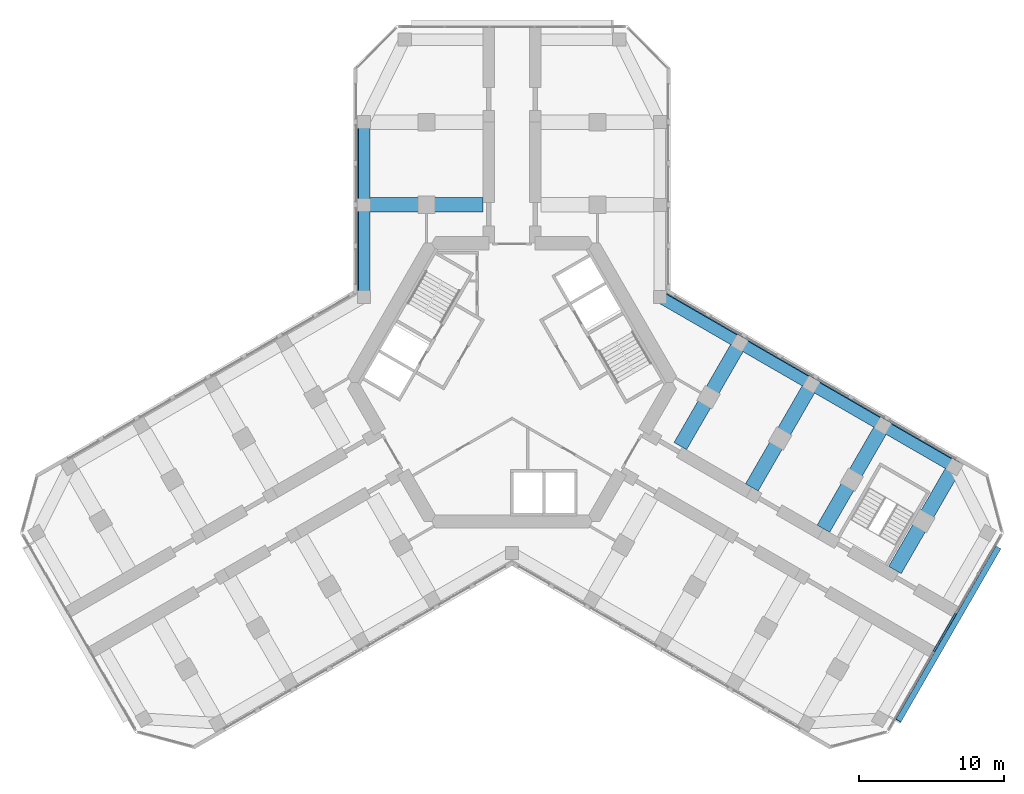
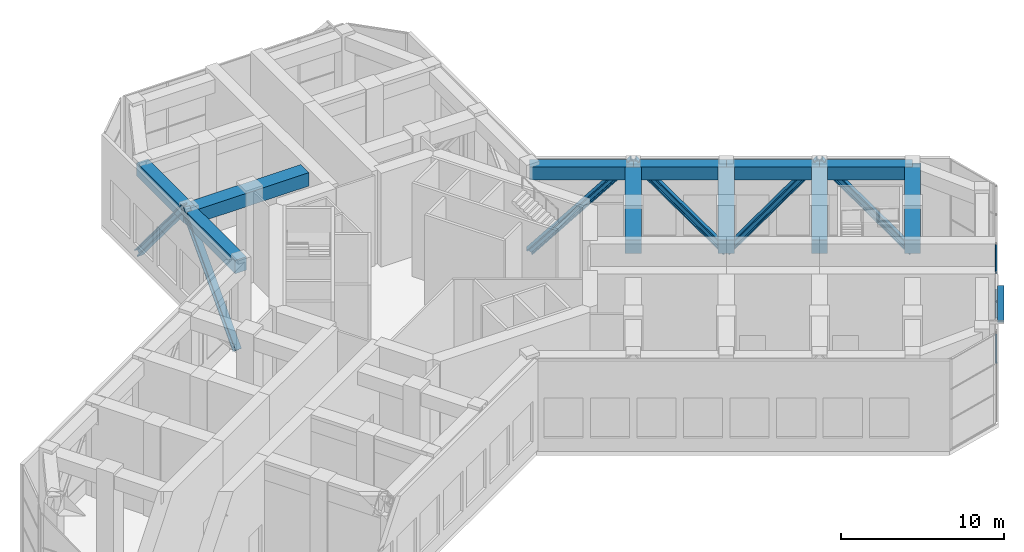
# One storey, part 6 of 15: 11 beams, 10 members, 1 element without a shape of its own.
"""IFC4 building model written with IfcOpenShell, lengths in metres."""

from ifc_helpers import new_model, si_unit, direction, frame, origin, origin_2d, place, context, subcontext, project, spatial, rectangle, i_section, extrude, material, material_profile, profile_set, type_object, element, aggregate, save


model = new_model("IFC4")

# Units and contexts
model_context = context("Model", 3, precision=1e-05, world=origin(), true_north=direction((0.0, 1.0)))
body_context = subcontext(model_context, "Body", "Model", "MODEL_VIEW")
ifc_project = project(units=[si_unit("LENGTHUNIT", "METRE"), si_unit("AREAUNIT", "SQUARE_METRE"), si_unit("VOLUMEUNIT", "CUBIC_METRE"), si_unit("PLANEANGLEUNIT", "RADIAN"), si_unit("MASSUNIT", "GRAM", prefix="KILO")], contexts=[model_context])

# Site, building, storey
site_placement = place(None, origin())
site = spatial("IfcSite", under=ifc_project, at=site_placement, CompositionType="ELEMENT")
building_placement = place(site_placement, origin())
building = spatial("IfcBuilding", under=site, at=building_placement, Name="Kosmar Iwan School Tower", CompositionType="ELEMENT")
storey_placement = place(building_placement, frame((0.0, 0.0, 186.800048828125)))
storey = spatial("IfcBuildingStorey", under=building, at=storey_placement, Name="L47", CompositionType="ELEMENT", Elevation=186.800048828125)

# Members
ifc_material_1 = material(Name="Steel S355", Category="steel")
ifc_material_profile_1 = material_profile(ifc_material_1, i_section(OverallWidth=0.424072265625, OverallDepth=0.47412109375, WebThickness=0.047607421875, FlangeThickness=0.0771484375, FilletRadius=0.014892578125, at=origin_2d()), Name="HD 400x634")
ifc_profile_set_1 = profile_set([ifc_material_profile_1], Name="Steel S355")
member_type_1 = type_object("IfcMemberType", Name="Belt truss diagonal HD 400x634", PredefinedType="BRACE", material=ifc_profile_set_1)
member_1_placement = place(storey_placement, frame((-10.4580078125, 5.888916015625, 0.0), z_axis=(0.0, 0.681901320807, 0.731444180154), x_axis=(-1.0, 0.0, 0.0)))
element("IfcMember", 1, at=member_1_placement, inside=storey, type_object=member_type_1, Name="Belt truss diagonal AL1", PredefinedType="BRACE", context=body_context, shape_type="SweptSolid", body=[
    extrude(i_section(OverallWidth=0.424072265625, OverallDepth=0.47412109375, WebThickness=0.047607421875, FlangeThickness=0.0771484375, FilletRadius=0.014892578125, at=origin_2d()), origin(), (0.0, 0.0, 1.0), 9.328369140625),
])
member_2_placement = place(storey_placement, frame((-10.4580078125, 12.25, 6.8232421875), z_axis=(0.0, 0.641107671888, -0.767450945043), x_axis=(-1.0, 0.0, 0.0)))
element("IfcMember", 2, at=member_2_placement, inside=storey, type_object=member_type_1, Name="Belt truss diagonal AL2", PredefinedType="BRACE", context=body_context, shape_type="SweptSolid", body=[
    extrude(i_section(OverallWidth=0.424072265625, OverallDepth=0.47412109375, WebThickness=0.047607421875, FlangeThickness=0.0771484375, FilletRadius=0.014892578125, at=origin_2d()), origin(), (0.0, 0.0, 1.0), 8.890869140625),
])
member_3_placement = place(storey_placement, frame((10.3291015625, 6.1123046875, 0.0), z_axis=(0.590541526201, -0.340940633834, 0.731450743409), x_axis=(0.49999045822, 0.866030912664, 0.0)))
element("IfcMember", 3, at=member_3_placement, inside=storey, type_object=member_type_1, Name="Belt truss diagonal CL1", PredefinedType="BRACE", context=body_context, shape_type="SweptSolid", body=[
    extrude(i_section(OverallWidth=0.424072265625, OverallDepth=0.47412109375, WebThickness=0.047607421875, FlangeThickness=0.0771484375, FilletRadius=0.014892578125, at=origin_2d()), origin(), (0.0, 0.0, 1.0), 9.328369140625),
])
member_4_placement = place(storey_placement, frame((15.837890625, 2.931884765625, 6.8232421875), z_axis=(0.555211280294, -0.320566619821, -0.767448680037), x_axis=(0.50001782563, 0.866015111908, 0.0)))
element("IfcMember", 4, at=member_4_placement, inside=storey, type_object=member_type_1, Name="Belt truss diagonal CL2", PredefinedType="BRACE", context=body_context, shape_type="SweptSolid", body=[
    extrude(i_section(OverallWidth=0.424072265625, OverallDepth=0.47412109375, WebThickness=0.047607421875, FlangeThickness=0.0771484375, FilletRadius=0.014892578125, at=origin_2d()), origin(), (0.0, 0.0, 1.0), 8.890869140625),
])
member_5_placement = place(storey_placement, frame((20.774169921875, 0.081787109375, 0.0), z_axis=(0.555216167519, -0.320541981475, 0.767455435473), x_axis=(0.49998570155, 0.866033658841, 0.0)))
element("IfcMember", 5, at=member_5_placement, inside=storey, type_object=member_type_1, Name="Belt truss diagonal CL3", PredefinedType="BRACE", context=body_context, shape_type="SweptSolid", body=[
    extrude(i_section(OverallWidth=0.424072265625, OverallDepth=0.47412109375, WebThickness=0.047607421875, FlangeThickness=0.0771484375, FilletRadius=0.014892578125, at=origin_2d()), origin(), (0.0, 0.0, 1.0), 8.890625),
])
member_6_placement = place(storey_placement, frame((25.71044921875, -2.76806640625, 6.8232421875), z_axis=(0.555211280294, -0.320566619821, -0.767448680037), x_axis=(0.50001782563, 0.866015111908, 0.0)))
element("IfcMember", 6, at=member_6_placement, inside=storey, type_object=member_type_1, Name="Belt truss diagonal CL4", PredefinedType="BRACE", context=body_context, shape_type="SweptSolid", body=[
    extrude(i_section(OverallWidth=0.424072265625, OverallDepth=0.47412109375, WebThickness=0.047607421875, FlangeThickness=0.0771484375, FilletRadius=0.014892578125, at=origin_2d()), origin(), (0.0, 0.0, 1.0), 8.890869140625),
])

# Beams
ifc_material_2 = material(Name="Concrete C50/60", Category="concrete")
ifc_material_profile_2 = material_profile(ifc_material_2, rectangle(XDim=0.800048828125, YDim=1.0, at=origin_2d()), Name="RC 800x1000 + HD 400x634")
ifc_profile_set_2 = profile_set([ifc_material_profile_2], Name="Concrete C50/60")
beam_type_1 = type_object("IfcBeamType", Name="Composite edge beam 800x1000 HD 400x634", PredefinedType="BEAM", material=ifc_profile_set_2)
beam_1_placement = place(storey_placement, frame((-10.199951171875, 5.888916015625, 6.25), z_axis=(0.0, 1.0, 0.0), x_axis=(-1.0, 0.0, 0.0)))
element("IfcBeam", 7, at=beam_1_placement, inside=storey, type_object=beam_type_1, Name="Edge beam AL1", PredefinedType="BEAM", context=body_context, shape_type="SweptSolid", body=[
    extrude(rectangle(XDim=0.800048828125, YDim=1.0, at=origin_2d()), origin(), (0.0, 0.0, 1.0), 6.361083984375),
])
beam_2_placement = place(storey_placement, frame((-10.199951171875, 12.25, 6.25), z_axis=(0.0, 1.0, 0.0), x_axis=(-1.0, 0.0, 0.0)))
element("IfcBeam", 8, at=beam_2_placement, inside=storey, type_object=beam_type_1, Name="Edge beam AL2", PredefinedType="BEAM", context=body_context, shape_type="SweptSolid", body=[
    extrude(rectangle(XDim=0.800048828125, YDim=1.0, at=origin_2d()), origin(), (0.0, 0.0, 1.0), 5.699951171875),
])
beam_3_placement = place(storey_placement, frame((10.199951171875, 5.888916015625, 6.25), z_axis=(0.866030912664, -0.49999045822, 0.0), x_axis=(0.49999045822, 0.866030912664, 0.0)))
element("IfcBeam", 9, at=beam_3_placement, inside=storey, type_object=beam_type_1, Name="Edge beam CL1", PredefinedType="BEAM", context=body_context, shape_type="SweptSolid", body=[
    extrude(rectangle(XDim=0.800048828125, YDim=1.0, at=origin_2d()), origin(), (0.0, 0.0, 1.0), 6.36083984375),
])
beam_4_placement = place(storey_placement, frame((15.708740234375, 2.70849609375, 6.25), z_axis=(0.866025820012, -0.499999279071, 0.0), x_axis=(0.499999279071, 0.866025820012, 0.0)))
element("IfcBeam", 10, at=beam_4_placement, inside=storey, type_object=beam_type_1, Name="Edge beam CL2", PredefinedType="BEAM", context=body_context, shape_type="SweptSolid", body=[
    extrude(rectangle(XDim=0.800048828125, YDim=1.0, at=origin_2d()), origin(), (0.0, 0.0, 1.0), 5.7001953125),
])
for number, where, z_axis, x_axis, name in (
    (11, (20.645263671875, -0.1416015625, 6.25), (0.866033658841, -0.49998570155, 0.0), (0.49998570155, 0.866033658841, 0.0), "Edge beam CL3"),
    (12, (25.58154296875, -2.991455078125, 6.25), (0.866015111908, -0.50001782563, 0.0), (0.50001782563, 0.866015111908, 0.0), "Edge beam CL4"),
):
    element("IfcBeam", number, at=place(storey_placement, frame(where, z_axis=z_axis, x_axis=x_axis)), inside=storey, type_object=beam_type_1, Name=name, PredefinedType="BEAM", context=body_context, shape_type="SweptSolid", body=[
        extrude(rectangle(XDim=0.800048828125, YDim=1.0, at=origin_2d()), origin(), (0.0, 0.0, 1.0), 5.699951171875),
    ])
ifc_material_3 = material(Name="Concrete C50/60", Category="concrete")
ifc_material_profile_3 = material_profile(ifc_material_3, rectangle(XDim=1.0, YDim=1.0, at=origin_2d()), Name="RC 1000x1000 + HD 400x347")
ifc_profile_set_3 = profile_set([ifc_material_profile_3], Name="Concrete C50/60")
beam_type_2 = type_object("IfcBeamType", Name="Composite transverse beam 1000x1000 HD 400x347", PredefinedType="BEAM", material=ifc_profile_set_3)
for number, where, z_axis, x_axis, name in (
    (13, (-10.199951171875, 12.25, 6.25), (1.0, 0.0, 0.0), (0.0, 1.0, 0.0), "Transverse beam AL1"),
    (14, (15.708740234375, 2.70849609375, 6.25), (-0.499978459874, -0.866037839625, 0.0), (0.866037839625, -0.499978459874, 0.0), "Transverse beam CL1"),
    (15, (20.645263671875, -0.1416015625, 6.25), (-0.500013681986, -0.866017504342, 0.0), (0.866017504342, -0.500013681986, 0.0), "Transverse beam CL2"),
):
    element("IfcBeam", number, at=place(storey_placement, frame(where, z_axis=z_axis, x_axis=x_axis)), inside=storey, type_object=beam_type_2, Name=name, PredefinedType="BEAM", context=body_context, shape_type="SweptSolid", body=[
        extrude(rectangle(XDim=1.0, YDim=1.0, at=origin_2d()), origin(), (0.0, 0.0, 1.0), 8.199951171875),
    ])
beam_5_placement = place(storey_placement, frame((25.58154296875, -2.991455078125, 6.25), z_axis=(-0.500000789788, -0.8660249478, 0.0), x_axis=(0.8660249478, -0.500000789788, 0.0)))
element("IfcBeam", 16, at=beam_5_placement, inside=storey, type_object=beam_type_2, Name="Transverse beam CL3", PredefinedType="BEAM", context=body_context, shape_type="SweptSolid", body=[
    extrude(rectangle(XDim=1.0, YDim=1.0, at=origin_2d()), origin(), (0.0, 0.0, 1.0), 8.2001953125),
])
beam_6_placement = place(storey_placement, frame((30.517822265625, -5.841552734375, 6.25), z_axis=(-0.500013681986, -0.866017504342, 0.0), x_axis=(0.866017504342, -0.500013681986, 0.0)))
element("IfcBeam", 17, at=beam_6_placement, inside=storey, type_object=beam_type_2, Name="Transverse beam CL4", PredefinedType="BEAM", context=body_context, shape_type="SweptSolid", body=[
    extrude(rectangle(XDim=1.0, YDim=1.0, at=origin_2d()), origin(), (0.0, 0.0, 1.0), 8.199951171875),
])

# Member
ifc_material_4 = material(Name="Black anodised aluminium", Category="aluminium")
ifc_material_profile_4 = material_profile(ifc_material_4, rectangle(XDim=0.10009765625, YDim=0.39990234375, at=origin_2d()), Name="FIN 100x400")
ifc_profile_set_4 = profile_set([ifc_material_profile_4], Name="Black anodised aluminium")
member_type_2 = type_object("IfcMemberType", Name="Diagonal fin 100x400", PredefinedType="USERDEFINED", material=ifc_profile_set_4)
member_7_placement = place(storey_placement, frame((33.54345703125, -11.40087890625, -0.150146484375), z_axis=(-0.445884805648, -0.772309410313, 0.452465374183), x_axis=(0.226229551412, 0.391848318744, 0.891781971765)))
element("IfcMember", 18, at=member_7_placement, inside=storey, type_object=member_type_2, Name="Diagonal fin L47-F03", ObjectType="FIN", PredefinedType="USERDEFINED", context=body_context, shape_type="SweptSolid", body=[
    extrude(rectangle(XDim=0.10009765625, YDim=0.39990234375, at=origin_2d()), origin(), (0.0, 0.0, 1.0), 15.470703125),
])

# Curtain wall, members
ifc_material_5 = material(Name="Black aluminium louvres and glass", Category="aluminium")
curtain_wall_type = type_object("IfcCurtainWallType", Name="Plant floor louvred curtain wall", PredefinedType="USERDEFINED", material=ifc_material_5)
curtain_wall_placement = place(storey_placement, origin())
curtain_wall = element("IfcCurtainWall", 19, at=curtain_wall_placement, inside=storey, type_object=curtain_wall_type, Name="Curtain wall L47-F03", ObjectType="LOUVRED CURTAIN WALL", PredefinedType="USERDEFINED")
ifc_material_6 = material(Name="Black anodised aluminium", Category="aluminium")
ifc_material_profile_5 = material_profile(ifc_material_6, rectangle(XDim=0.1201171875, YDim=0.06005859375, at=origin_2d()), Name="TRANSOM 60x120")
ifc_profile_set_5 = profile_set([ifc_material_profile_5], Name="Black anodised aluminium")
member_type_3 = type_object("IfcMemberType", Name="Transom 60x120", PredefinedType="USERDEFINED", material=ifc_profile_set_5)
member_8_placement = place(storey_placement, frame((29.096435546875, -18.553466796875, 0.030029296875), z_axis=(0.499975102327, 0.866039777986, 0.0), x_axis=(-0.866039777986, 0.499975102327, 0.0)))
member_8 = element("IfcMember", 20, at=member_8_placement, type_object=member_type_3, Name="CW4 transom 3.1", ObjectType="TRANSOM", PredefinedType="USERDEFINED", context=body_context, shape_type="SweptSolid", body=[
    extrude(rectangle(XDim=0.1201171875, YDim=0.06005859375, at=origin_2d()), origin(), (0.0, 0.0, 1.0), 3.039306640625),
])
member_9_placement = place(storey_placement, frame((29.096435546875, -18.553466796875, 3.375), z_axis=(0.499975102327, 0.866039777986, 0.0), x_axis=(-0.866039777986, 0.499975102327, 0.0)))
member_9 = element("IfcMember", 21, at=member_9_placement, type_object=member_type_3, Name="CW4 transom 3.2", ObjectType="TRANSOM", PredefinedType="USERDEFINED", context=body_context, shape_type="SweptSolid", body=[
    extrude(rectangle(XDim=0.1201171875, YDim=0.06005859375, at=origin_2d()), origin(), (0.0, 0.0, 1.0), 3.039306640625),
])
member_10_placement = place(storey_placement, frame((29.096435546875, -18.553466796875, 6.719970703125), z_axis=(0.499975102327, 0.866039777986, 0.0), x_axis=(-0.866039777986, 0.499975102327, 0.0)))
member_10 = element("IfcMember", 22, at=member_10_placement, type_object=member_type_3, Name="CW4 transom 3.3", ObjectType="TRANSOM", PredefinedType="USERDEFINED", context=body_context, shape_type="SweptSolid", body=[
    extrude(rectangle(XDim=0.1201171875, YDim=0.06005859375, at=origin_2d()), origin(), (0.0, 0.0, 1.0), 3.039306640625),
])
aggregate(curtain_wall, [member_8, member_9, member_10])

save(model, "model.ifc")
